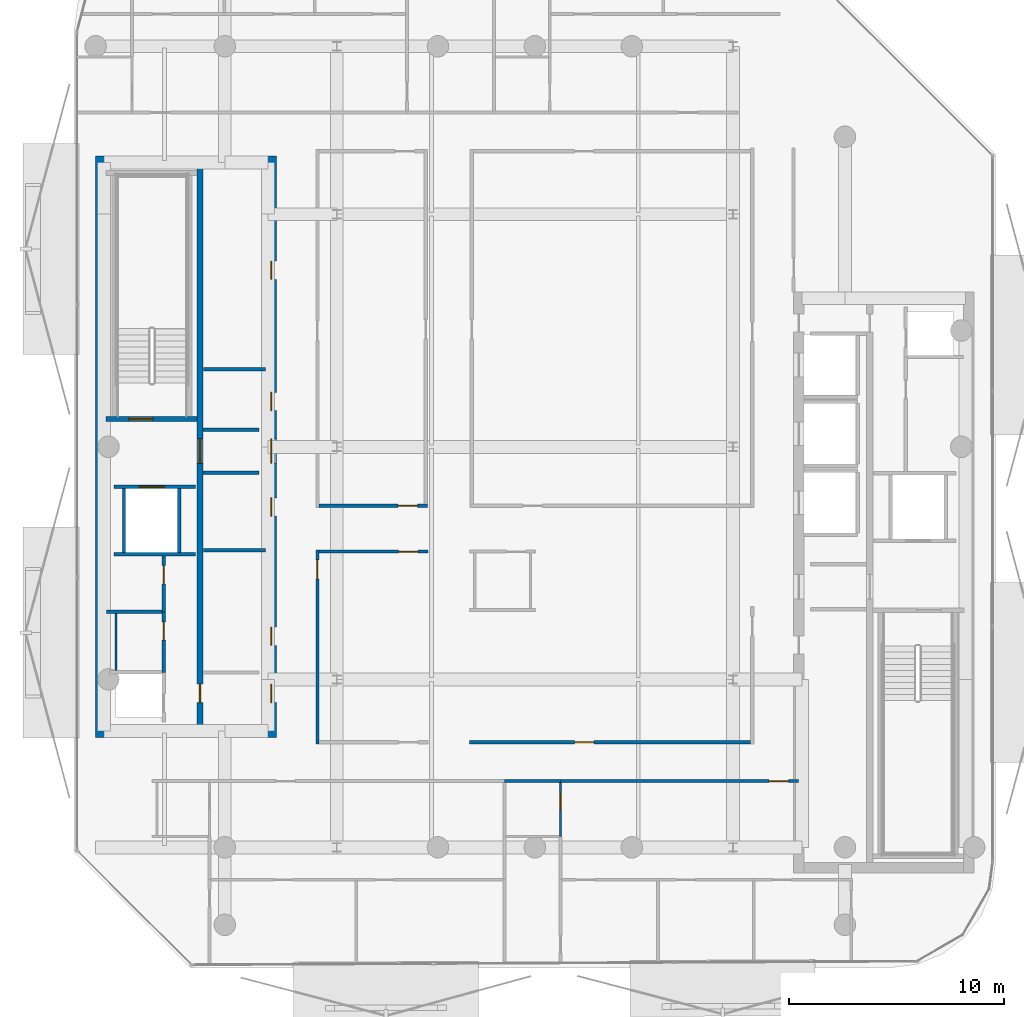
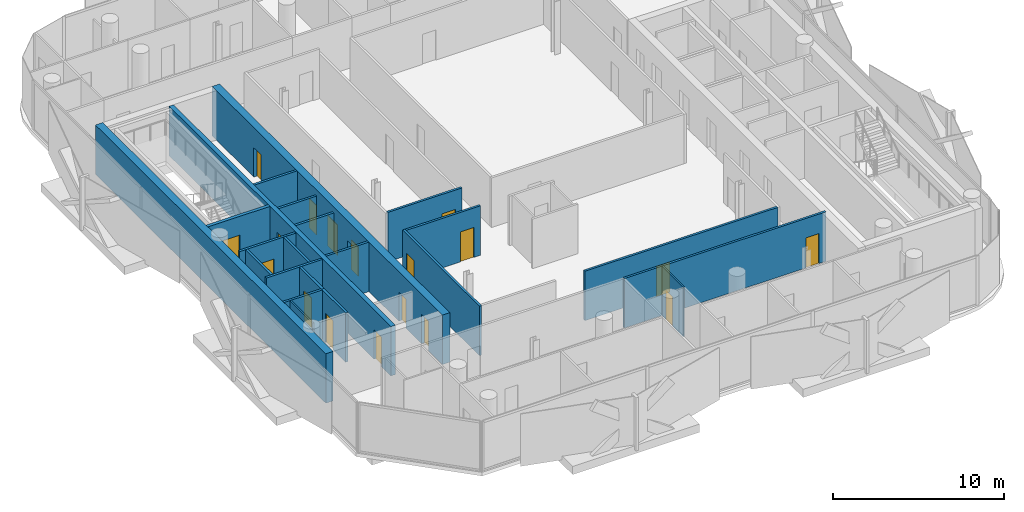
# One storey, part 5 of 16: 23 walls, 18 doors, 18 openings.
"""IFC4 building model written with IfcOpenShell, lengths in metres."""

from ifc_helpers import new_model, si_unit, direction, frame, frame_2d, origin, place, context, subcontext, project, spatial, rectangle, extrude, material, layer, layer_set, type_object, element, fill, save


model = new_model("IFC4")

# Units and contexts
model_context = context("Model", 3, precision=1e-05, world=origin(), true_north=direction((0.0, 1.0)))
body_context = subcontext(model_context, "Body", "Model", "MODEL_VIEW")
ifc_project = project(units=[si_unit("LENGTHUNIT", "METRE"), si_unit("AREAUNIT", "SQUARE_METRE"), si_unit("VOLUMEUNIT", "CUBIC_METRE"), si_unit("PLANEANGLEUNIT", "RADIAN"), si_unit("MASSUNIT", "GRAM", prefix="KILO")], contexts=[model_context])

# Site, building, storey
site_placement = place(None, origin())
site = spatial("IfcSite", under=ifc_project, at=site_placement, CompositionType="ELEMENT")
building_placement = place(site_placement, origin())
building = spatial("IfcBuilding", under=site, at=building_placement, Name="Khairoan Windgate Tower", CompositionType="ELEMENT")
storey_placement = place(building_placement, frame((0.0, 0.0, 281.39990234375)))
storey = spatial("IfcBuildingStorey", under=building, at=storey_placement, Name="L67", CompositionType="ELEMENT", Elevation=281.39990234375)

# Wall, opening, door
ifc_material_1 = material(Name="Moisture-Resistant Gypsum Partition", Category="gypsum")
ifc_layer_1 = layer(ifc_material_1, 0.10009765625, Name="Moisture-Resistant Gypsum Partition")
ifc_layer_set_1 = layer_set([ifc_layer_1], Name="Moisture-Resistant Gypsum Partition")
wall_type_1 = type_object("IfcWallType", Name="Bathroom Wet-Area Partition Wall", PredefinedType="PARTITIONING", material=ifc_layer_set_1)
wall_1_placement = place(storey_placement, frame((1.18994140625, -18.10009765625, 0.0), z_axis=(0.0, 0.0, 1.0), x_axis=(0.0, 1.0, 0.0)))
wall_1 = element("IfcWall", 1, at=wall_1_placement, inside=storey, type_object=wall_type_1, Name="L67 Interior Partition 066", PredefinedType="PARTITIONING", context=body_context, shape_type="SweptSolid", body=[
    extrude(rectangle(XDim=2.5, YDim=0.10009765625, at=frame_2d((1.25, 0.0))), origin(), (0.0, 0.0, 1.0), 3.5400390625),
])
opening_1_placement = place(wall_1_placement, frame((1.239990234375, 0.0, 0.0)))
opening_1 = element("IfcOpeningElement", 2, at=opening_1_placement, cuts=wall_1, Name="Opening ID-BTH", PredefinedType="OPENING", context=body_context, shape_type="SweptSolid", body=[
    extrude(rectangle(XDim=0.800048828125, YDim=2.10009765625, at=frame_2d((0.39990234375, 1.050048828125))), frame((0.0, 0.06005859375, 0.0), z_axis=(0.0, -1.0, 0.0), x_axis=(1.0, 0.0, 0.0)), (0.0, 0.0, 1.0), 0.1201171875),
])
ifc_material_2 = material(Name="Teak Veneer Timber Leaf", Category="wood")
door_type_1 = type_object("IfcDoorType", Name="Internal Bathroom Door ID-BTH 800x2100", OperationType="NOTDEFINED", PredefinedType="DOOR", material=ifc_material_2)
door_1_placement = place(opening_1_placement, origin())
door_1 = element("IfcDoor", 3, at=door_1_placement, inside=storey, type_object=door_type_1, Name="L67 L67-49-L67-51 Door", OperationType="SINGLE_SWING_RIGHT", OverallHeight=2.10009765625, OverallWidth=0.800048828125, PredefinedType="DOOR", context=body_context, shape_type="SweptSolid", body=[
    extrude(rectangle(XDim=0.800048828125, YDim=2.10009765625, at=frame_2d((0.39990234375, 1.050048828125))), frame((0.0, 0.02490234375, 0.0), z_axis=(0.0, -1.0, 0.0), x_axis=(1.0, 0.0, 0.0)), (0.0, 0.0, 1.0), 0.050048828125),
])
fill(opening_1, door_1)

# Wall
wall_2_placement = place(storey_placement, frame((-19.449951171875, -10.389892578125, 0.0), z_axis=(0.0, 0.0, 1.0), x_axis=(0.0, 1.0, 0.0)))
element("IfcWall", 4, at=wall_2_placement, inside=storey, type_object=wall_type_1, Name="L67 Wet Room Side Wall 076", PredefinedType="PARTITIONING", context=body_context, shape_type="SweptSolid", body=[
    extrude(rectangle(XDim=2.639892578125, YDim=0.10009765625, at=frame_2d((1.31982421875, 0.0))), origin(), (0.0, 0.0, 1.0), 3.5400390625),
])

# Wall, opening, door
ifc_material_3 = material(Name="Concrete C40/50", Category="concrete")
ifc_layer_2 = layer(ifc_material_3, 0.159912109375, Name="Concrete C40/50")
ifc_layer_set_2 = layer_set([ifc_layer_2], Name="Concrete C40/50")
wall_type_2 = type_object("IfcWallType", Name="Core and Hoistway Enclosure Wall", PredefinedType="STANDARD", material=ifc_layer_set_2)
wall_3_placement = place(storey_placement, frame((-19.550048828125, -1.860107421875, 0.0), z_axis=(0.0, 0.0, 1.0), x_axis=(1.0, 0.0, 0.0)))
wall_3 = element("IfcWall", 5, at=wall_3_placement, inside=storey, type_object=wall_type_2, Name="L67 Core Shaft Wall SW-FL2-L67", PredefinedType="STANDARD", context=body_context, shape_type="SweptSolid", body=[
    extrude(rectangle(XDim=3.800048828125, YDim=0.159912109375, at=frame_2d((1.89990234375, 0.0))), origin(), (0.0, 0.0, 1.0), 3.5400390625),
])
opening_2_placement = place(wall_3_placement, frame((1.179931640625, 0.0, 0.0)))
opening_2 = element("IfcOpeningElement", 6, at=opening_2_placement, cuts=wall_3, Name="Opening LD-FL", PredefinedType="OPENING", context=body_context, shape_type="SweptSolid", body=[
    extrude(rectangle(XDim=1.14990234375, YDim=2.199951171875, at=frame_2d((0.574951171875, 1.10009765625))), frame((0.0, 0.08984375, 0.0), z_axis=(0.0, -1.0, 0.0), x_axis=(1.0, 0.0, 0.0)), (0.0, 0.0, 1.0), 0.179931640625),
])
ifc_material_4 = material(Name="Steel S355", Category="steel")
door_type_2 = type_object("IfcDoorType", Name="Firefighting Lift Sliding Landing Door LD-FL 1150x2200", OperationType="DOUBLE_DOOR_SLIDING", PredefinedType="DOOR", material=ifc_material_4)
door_2_placement = place(opening_2_placement, origin())
door_2 = element("IfcDoor", 7, at=door_2_placement, inside=storey, type_object=door_type_2, Name="L67 Firefighting Lift FL2 Landing Door", OperationType="DOUBLE_DOOR_SLIDING", OverallHeight=2.199951171875, OverallWidth=1.14990234375, PredefinedType="DOOR", context=body_context, shape_type="SweptSolid", body=[
    extrude(rectangle(XDim=1.14990234375, YDim=2.199951171875, at=frame_2d((0.574951171875, 1.10009765625))), frame((0.0, 0.02490234375, 0.0), z_axis=(0.0, -1.0, 0.0), x_axis=(1.0, 0.0, 0.0)), (0.0, 0.0, 1.0), 0.050048828125),
])
fill(opening_2, door_2)

# Walls
wall_4_placement = place(storey_placement, frame((-19.550048828125, -4.97998046875, 0.0), z_axis=(0.0, 0.0, 1.0), x_axis=(1.0, 0.0, 0.0)))
element("IfcWall", 8, at=wall_4_placement, inside=storey, type_object=wall_type_2, Name="L67 Core Shaft Wall SW-FL2B-L67", PredefinedType="STANDARD", context=body_context, shape_type="SweptSolid", body=[
    extrude(rectangle(XDim=3.800048828125, YDim=0.159912109375, at=frame_2d((1.89990234375, 0.0))), origin(), (0.0, 0.0, 1.0), 3.5400390625),
])
for number, where, z_axis, x_axis, name in (
    (9, (-19.080078125, -4.89990234375, 0.0), (0.0, 0.0, 1.0), (0.0, 1.0, 0.0), "L67 Core Shaft Wall SW-FL2W-L67"),
    (10, (-16.52001953125, -4.89990234375, 0.0), (0.0, 0.0, 1.0), (0.0, 1.0, 0.0), "L67 Core Shaft Wall SW-FL2E-L67"),
):
    element("IfcWall", number, at=place(storey_placement, frame(where, z_axis=z_axis, x_axis=x_axis)), inside=storey, type_object=wall_type_2, Name=name, PredefinedType="STANDARD", context=body_context, shape_type="SweptSolid", body=[
        extrude(rectangle(XDim=2.9599609375, YDim=0.159912109375, at=frame_2d((1.47998046875, 0.0))), origin(), (0.0, 0.0, 1.0), 3.5400390625),
    ])
for number, where, z_axis, x_axis, name in (
    (11, (-15.39990234375, 0.800048828125, 0.0), (0.0, 0.0, 1.0), (1.0, 0.0, 0.0), "L67 Core Shaft Wall SW-WV1-L67"),
    (12, (-15.39990234375, -1.199951171875, 0.0), (0.0, 0.0, 1.0), (1.0, 0.0, 0.0), "L67 Core Shaft Wall SW-WV2-L67"),
):
    element("IfcWall", number, at=place(storey_placement, frame(where, z_axis=z_axis, x_axis=x_axis)), inside=storey, type_object=wall_type_2, Name=name, PredefinedType="STANDARD", context=body_context, shape_type="SweptSolid", body=[
        extrude(rectangle(XDim=2.599853515625, YDim=0.159912109375, at=frame_2d((1.2998046875, 0.0))), origin(), (0.0, 0.0, 1.0), 3.5400390625),
    ])

# Wall, opening, door
ifc_material_5 = material(Name="Concrete C40/50", Category="concrete")
ifc_layer_3 = layer(ifc_material_5, 0.159912109375, Name="Concrete C40/50")
ifc_layer_set_3 = layer_set([ifc_layer_3], Name="Concrete C40/50")
wall_type_3 = type_object("IfcWallType", Name="Plant and Refuge Compartment Wall", PredefinedType="PARTITIONING", material=ifc_layer_set_3)
wall_5_placement = place(storey_placement, frame((-17.22998046875, -10.469970703125, 0.0), z_axis=(0.0, 0.0, 1.0), x_axis=(0.0, 1.0, 0.0)))
wall_5 = element("IfcWall", 13, at=wall_5_placement, inside=storey, type_object=wall_type_3, Name="L67 Interior Partition 002", PredefinedType="PARTITIONING", context=body_context, shape_type="SweptSolid", body=[
    extrude(rectangle(XDim=2.800048828125, YDim=0.159912109375, at=frame_2d((1.39990234375, 0.0))), origin(), (0.0, 0.0, 1.0), 3.5400390625),
])
opening_3_placement = place(wall_5_placement, frame((1.489990234375, 0.0, 0.0)))
opening_3 = element("IfcOpeningElement", 14, at=opening_3_placement, cuts=wall_5, Name="Opening FD-SRV", PredefinedType="OPENING", context=body_context, shape_type="SweptSolid", body=[
    extrude(rectangle(XDim=0.85009765625, YDim=2.10009765625, at=frame_2d((0.425048828125, 1.050048828125))), frame((0.0, 0.08984375, 0.0), z_axis=(0.0, -1.0, 0.0), x_axis=(1.0, 0.0, 0.0)), (0.0, 0.0, 1.0), 0.179931640625),
])
ifc_material_6 = material(Name="Steel S355", Category="steel")
door_type_3 = type_object("IfcDoorType", Name="Core Service and Riser Fire Door FD-SRV 850x2100", OperationType="NOTDEFINED", PredefinedType="DOOR", material=ifc_material_6)
door_3_placement = place(opening_3_placement, origin())
door_3 = element("IfcDoor", 15, at=door_3_placement, inside=storey, type_object=door_type_3, Name="L67 L67-04-L67-06 Door", OperationType="SINGLE_SWING_LEFT", OverallHeight=2.10009765625, OverallWidth=0.85009765625, PredefinedType="DOOR", context=body_context, shape_type="SweptSolid", body=[
    extrude(rectangle(XDim=0.85009765625, YDim=2.10009765625, at=frame_2d((0.425048828125, 1.050048828125))), frame((0.0, 0.02490234375, 0.0), z_axis=(0.0, -1.0, 0.0), x_axis=(1.0, 0.0, 0.0)), (0.0, 0.0, 1.0), 0.050048828125),
])
fill(opening_3, door_3)

wall_6_placement = place(storey_placement, frame((-17.22998046875, -7.669921875, 0.0), z_axis=(0.0, 0.0, 1.0), x_axis=(0.0, 1.0, 0.0)))
wall_6 = element("IfcWall", 16, at=wall_6_placement, inside=storey, type_object=wall_type_3, Name="L67 Interior Partition 003", PredefinedType="PARTITIONING", context=body_context, shape_type="SweptSolid", body=[
    extrude(rectangle(XDim=2.60986328125, YDim=0.159912109375, at=frame_2d((1.304931640625, 0.0))), origin(), (0.0, 0.0, 1.0), 3.5400390625),
])
opening_4_placement = place(wall_6_placement, frame((1.300048828125, 0.0, 0.0)))
opening_4 = element("IfcOpeningElement", 17, at=opening_4_placement, cuts=wall_6, Name="Opening FD-SRV", PredefinedType="OPENING", context=body_context, shape_type="SweptSolid", body=[
    extrude(rectangle(XDim=0.85009765625, YDim=2.10009765625, at=frame_2d((0.425048828125, 1.050048828125))), frame((0.0, 0.08984375, 0.0), z_axis=(0.0, -1.0, 0.0), x_axis=(1.0, 0.0, 0.0)), (0.0, 0.0, 1.0), 0.179931640625),
])
door_4_placement = place(opening_4_placement, origin())
door_4 = element("IfcDoor", 18, at=door_4_placement, inside=storey, type_object=door_type_3, Name="L67 L67-04-L67-07 Door", OperationType="SINGLE_SWING_RIGHT", OverallHeight=2.10009765625, OverallWidth=0.85009765625, PredefinedType="DOOR", context=body_context, shape_type="SweptSolid", body=[
    extrude(rectangle(XDim=0.85009765625, YDim=2.10009765625, at=frame_2d((0.425048828125, 1.050048828125))), frame((0.0, 0.02490234375, 0.0), z_axis=(0.0, -1.0, 0.0), x_axis=(1.0, 0.0, 0.0)), (0.0, 0.0, 1.0), 0.050048828125),
])
fill(opening_4, door_4)

# Walls
wall_7_placement = place(storey_placement, frame((-19.89990234375, -7.669921875, 0.0), z_axis=(0.0, 0.0, 1.0), x_axis=(1.0, 0.0, 0.0)))
element("IfcWall", 19, at=wall_7_placement, inside=storey, type_object=wall_type_3, Name="L67 Interior Partition 005", PredefinedType="PARTITIONING", context=body_context, shape_type="SweptSolid", body=[
    extrude(rectangle(XDim=2.58984375, YDim=0.159912109375, at=frame_2d((1.294921875, 0.0))), origin(), (0.0, 0.0, 1.0), 3.5400390625),
])
for number, where, z_axis, x_axis, name in (
    (20, (-15.39990234375, 3.60009765625, 0.0), (0.0, 0.0, 1.0), (1.0, 0.0, 0.0), "L67 Interior Partition 006"),
    (21, (-15.39990234375, -4.800048828125, 0.0), (0.0, 0.0, 1.0), (1.0, 0.0, 0.0), "L67 Interior Partition 007"),
):
    element("IfcWall", number, at=place(storey_placement, frame(where, z_axis=z_axis, x_axis=x_axis)), inside=storey, type_object=wall_type_3, Name=name, PredefinedType="PARTITIONING", context=body_context, shape_type="SweptSolid", body=[
        extrude(rectangle(XDim=2.89990234375, YDim=0.159912109375, at=frame_2d((1.449951171875, 0.0))), origin(), (0.0, 0.0, 1.0), 3.5400390625),
    ])

# Wall, opening, door
ifc_material_7 = material(Name="Acoustic Fire-Rated Gypsum Partition", Category="gypsum")
ifc_layer_4 = layer(ifc_material_7, 0.14990234375, Name="Acoustic Fire-Rated Gypsum Partition")
ifc_layer_set_4 = layer_set([ifc_layer_4], Name="Acoustic Fire-Rated Gypsum Partition")
wall_type_4 = type_object("IfcWallType", Name="Rated Corridor Partition Wall", PredefinedType="PARTITIONING", material=ifc_layer_set_4)
wall_8_placement = place(storey_placement, frame((-10.10009765625, -13.794921875, 0.0), z_axis=(0.0, 0.0, 1.0), x_axis=(0.0, 1.0, 0.0)))
wall_8 = element("IfcWall", 22, at=wall_8_placement, inside=storey, type_object=wall_type_4, Name="L67 Interior Partition 012", PredefinedType="PARTITIONING", context=body_context, shape_type="SweptSolid", body=[
    extrude(rectangle(XDim=9.0048828125, YDim=0.14990234375, at=frame_2d((4.50244140625, 0.0))), origin(), (0.0, 0.0, 1.0), 3.5400390625),
])
opening_5_placement = place(wall_8_placement, frame((7.64501953125, 0.0, 0.0)))
opening_5 = element("IfcOpeningElement", 23, at=opening_5_placement, cuts=wall_8, Name="Opening FD-ENT", PredefinedType="OPENING", context=body_context, shape_type="SweptSolid", body=[
    extrude(rectangle(XDim=0.89990234375, YDim=2.14990234375, at=frame_2d((0.449951171875, 1.074951171875))), frame((0.0, 0.0849609375, 0.0), z_axis=(0.0, -1.0, 0.0), x_axis=(1.0, 0.0, 0.0)), (0.0, 0.0, 1.0), 0.169921875),
])
ifc_material_8 = material(Name="Timber Fire-Rated Core", Category="wood")
door_type_4 = type_object("IfcDoorType", Name="Unit and Office Fire Entrance Door FD-ENT 900x2150", OperationType="NOTDEFINED", PredefinedType="DOOR", material=ifc_material_8)
door_5_placement = place(opening_5_placement, origin())
door_5 = element("IfcDoor", 24, at=door_5_placement, inside=storey, type_object=door_type_4, Name="L67 L67-26-L67-58 Door", OperationType="SINGLE_SWING_RIGHT", OverallHeight=2.14990234375, OverallWidth=0.89990234375, PredefinedType="DOOR", context=body_context, shape_type="SweptSolid", body=[
    extrude(rectangle(XDim=0.89990234375, YDim=2.14990234375, at=frame_2d((0.449951171875, 1.074951171875))), frame((0.0, 0.02490234375, 0.0), z_axis=(0.0, -1.0, 0.0), x_axis=(1.0, 0.0, 0.0)), (0.0, 0.0, 1.0), 0.050048828125),
])
fill(opening_5, door_5)

wall_9_placement = place(storey_placement, frame((-10.02490234375, -2.735107421875, 0.0), z_axis=(0.0, 0.0, 1.0), x_axis=(1.0, 0.0, 0.0)))
wall_9 = element("IfcWall", 25, at=wall_9_placement, inside=storey, type_object=wall_type_4, Name="L67 Interior Partition 016", PredefinedType="PARTITIONING", context=body_context, shape_type="SweptSolid", body=[
    extrude(rectangle(XDim=5.034912109375, YDim=0.14990234375, at=frame_2d((2.517578125, 0.0))), origin(), (0.0, 0.0, 1.0), 3.5400390625),
])
opening_6_placement = place(wall_9_placement, frame((3.675048828125, 0.0, 0.0)))
opening_6 = element("IfcOpeningElement", 26, at=opening_6_placement, cuts=wall_9, Name="Opening FD-ENT", PredefinedType="OPENING", context=body_context, shape_type="SweptSolid", body=[
    extrude(rectangle(XDim=0.89990234375, YDim=2.14990234375, at=frame_2d((0.449951171875, 1.074951171875))), frame((0.0, 0.0849609375, 0.0), z_axis=(0.0, -1.0, 0.0), x_axis=(1.0, 0.0, 0.0)), (0.0, 0.0, 1.0), 0.169921875),
])
door_6_placement = place(opening_6_placement, origin())
door_6 = element("IfcDoor", 27, at=door_6_placement, inside=storey, type_object=door_type_4, Name="L67 L67-28-L67-57 Door", OperationType="SINGLE_SWING_RIGHT", OverallHeight=2.14990234375, OverallWidth=0.89990234375, PredefinedType="DOOR", context=body_context, shape_type="SweptSolid", body=[
    extrude(rectangle(XDim=0.89990234375, YDim=2.14990234375, at=frame_2d((0.449951171875, 1.074951171875))), frame((0.0, 0.02490234375, 0.0), z_axis=(0.0, -1.0, 0.0), x_axis=(1.0, 0.0, 0.0)), (0.0, 0.0, 1.0), 0.050048828125),
])
fill(opening_6, door_6)

wall_10_placement = place(storey_placement, frame((-10.02490234375, -4.864990234375, 0.0), z_axis=(0.0, 0.0, 1.0), x_axis=(1.0, 0.0, 0.0)))
wall_10 = element("IfcWall", 28, at=wall_10_placement, inside=storey, type_object=wall_type_4, Name="L67 Interior Partition 017", PredefinedType="PARTITIONING", context=body_context, shape_type="SweptSolid", body=[
    extrude(rectangle(XDim=5.054931640625, YDim=0.14990234375, at=frame_2d((2.52734375, 0.0))), origin(), (0.0, 0.0, 1.0), 3.5400390625),
])
opening_7_placement = place(wall_10_placement, frame((3.695068359375, 0.0, 0.0)))
opening_7 = element("IfcOpeningElement", 29, at=opening_7_placement, cuts=wall_10, Name="Opening FD-ENT", PredefinedType="OPENING", context=body_context, shape_type="SweptSolid", body=[
    extrude(rectangle(XDim=0.89990234375, YDim=2.14990234375, at=frame_2d((0.449951171875, 1.074951171875))), frame((0.0, 0.0849609375, 0.0), z_axis=(0.0, -1.0, 0.0), x_axis=(1.0, 0.0, 0.0)), (0.0, 0.0, 1.0), 0.169921875),
])
door_7_placement = place(opening_7_placement, origin())
door_7 = element("IfcDoor", 30, at=door_7_placement, inside=storey, type_object=door_type_4, Name="L67 L67-28-L67-58 Door", OperationType="SINGLE_SWING_LEFT", OverallHeight=2.14990234375, OverallWidth=0.89990234375, PredefinedType="DOOR", context=body_context, shape_type="SweptSolid", body=[
    extrude(rectangle(XDim=0.89990234375, YDim=2.14990234375, at=frame_2d((0.449951171875, 1.074951171875))), frame((0.0, 0.02490234375, 0.0), z_axis=(0.0, -1.0, 0.0), x_axis=(1.0, 0.0, 0.0)), (0.0, 0.0, 1.0), 0.050048828125),
])
fill(opening_7, door_7)

# Wall
wall_11_placement = place(storey_placement, frame((-1.39990234375, -15.52490234375, 0.0), z_axis=(0.0, 0.0, 1.0), x_axis=(1.0, 0.0, 0.0)))
element("IfcWall", 31, at=wall_11_placement, inside=storey, type_object=wall_type_4, Name="L67 Interior Partition 031", PredefinedType="PARTITIONING", context=body_context, shape_type="SweptSolid", body=[
    extrude(rectangle(XDim=2.58984375, YDim=0.14990234375, at=frame_2d((1.294921875, 0.0))), origin(), (0.0, 0.0, 1.0), 3.5400390625),
])

# Wall, opening, door
wall_12_placement = place(storey_placement, frame((1.18994140625, -15.52490234375, 0.0), z_axis=(0.0, 0.0, 1.0), x_axis=(1.0, 0.0, 0.0)))
wall_12 = element("IfcWall", 32, at=wall_12_placement, inside=storey, type_object=wall_type_4, Name="L67 Interior Partition 032", PredefinedType="PARTITIONING", context=body_context, shape_type="SweptSolid", body=[
    extrude(rectangle(XDim=11.050048828125, YDim=0.14990234375, at=frame_2d((5.52490234375, 0.0))), origin(), (0.0, 0.0, 1.0), 3.5400390625),
])
opening_8_placement = place(wall_12_placement, frame((9.68994140625, 0.0, 0.0)))
opening_8 = element("IfcOpeningElement", 33, at=opening_8_placement, cuts=wall_12, Name="Opening FD-ENT", PredefinedType="OPENING", context=body_context, shape_type="SweptSolid", body=[
    extrude(rectangle(XDim=0.89990234375, YDim=2.14990234375, at=frame_2d((0.449951171875, 1.074951171875))), frame((0.0, 0.0849609375, 0.0), z_axis=(0.0, -1.0, 0.0), x_axis=(1.0, 0.0, 0.0)), (0.0, 0.0, 1.0), 0.169921875),
])
door_8_placement = place(opening_8_placement, origin())
door_8 = element("IfcDoor", 34, at=door_8_placement, inside=storey, type_object=door_type_4, Name="L67 L67-31-L67-51 Door", OperationType="SINGLE_SWING_LEFT", OverallHeight=2.14990234375, OverallWidth=0.89990234375, PredefinedType="DOOR", context=body_context, shape_type="SweptSolid", body=[
    extrude(rectangle(XDim=0.89990234375, YDim=2.14990234375, at=frame_2d((0.449951171875, 1.074951171875))), frame((0.0, 0.02490234375, 0.0), z_axis=(0.0, -1.0, 0.0), x_axis=(1.0, 0.0, 0.0)), (0.0, 0.0, 1.0), 0.050048828125),
])
fill(opening_8, door_8)

wall_13_placement = place(storey_placement, frame((-3.030029296875, -13.719970703125, 0.0), z_axis=(0.0, 0.0, 1.0), x_axis=(1.0, 0.0, 0.0)))
wall_13 = element("IfcWall", 35, at=wall_13_placement, inside=storey, type_object=wall_type_4, Name="L67 Interior Partition 034", PredefinedType="PARTITIONING", context=body_context, shape_type="SweptSolid", body=[
    extrude(rectangle(XDim=13.054931640625, YDim=0.14990234375, at=frame_2d((6.52734375, 0.0))), origin(), (0.0, 0.0, 1.0), 3.5400390625),
])
opening_9_placement = place(wall_13_placement, frame((4.873779296875, 0.0, 0.0)))
opening_9 = element("IfcOpeningElement", 36, at=opening_9_placement, cuts=wall_13, Name="Opening FD-ENT", PredefinedType="OPENING", context=body_context, shape_type="SweptSolid", body=[
    extrude(rectangle(XDim=0.89990234375, YDim=2.14990234375, at=frame_2d((0.449951171875, 1.074951171875))), frame((0.0, 0.0849609375, 0.0), z_axis=(0.0, -1.0, 0.0), x_axis=(1.0, 0.0, 0.0)), (0.0, 0.0, 1.0), 0.169921875),
])
door_9_placement = place(opening_9_placement, origin())
door_9 = element("IfcDoor", 37, at=door_9_placement, inside=storey, type_object=door_type_4, Name="L67 L67-31-L67-61 Door", OperationType="SINGLE_SWING_LEFT", OverallHeight=2.14990234375, OverallWidth=0.89990234375, PredefinedType="DOOR", context=body_context, shape_type="SweptSolid", body=[
    extrude(rectangle(XDim=0.89990234375, YDim=2.14990234375, at=frame_2d((0.449951171875, 1.074951171875))), frame((0.0, 0.02490234375, 0.0), z_axis=(0.0, -1.0, 0.0), x_axis=(1.0, 0.0, 0.0)), (0.0, 0.0, 1.0), 0.050048828125),
])
fill(opening_9, door_9)

# Wall
ifc_material_9 = material(Name="Concrete C50/60", Category="concrete")
ifc_layer_5 = layer(ifc_material_9, 0.5, Name="Concrete C50/60")
ifc_layer_set_5 = layer_set([ifc_layer_5], Name="Concrete C50/60")
wall_type_5 = type_object("IfcWallType", Name="Shear Wall CW-W3 500mm", PredefinedType="SHEAR", material=ifc_layer_set_5)
wall_14_placement = place(storey_placement, frame((-20.14990234375, -13.5, 0.0), z_axis=(0.0, 0.0, 1.0), x_axis=(0.0, 1.0, 0.0)))
element("IfcWall", 38, at=wall_14_placement, inside=storey, type_object=wall_type_5, Name="W Core West Shear Wall L67", PredefinedType="SHEAR", context=body_context, shape_type="SweptSolid", body=[
    extrude(rectangle(XDim=27.0, YDim=0.5, at=frame_2d((13.5, 0.0))), origin(), (0.0, 0.0, 1.0), 3.5400390625),
])

# Wall, openings, doors
wall_15_placement = place(storey_placement, frame((-12.25, -13.5, 0.0), z_axis=(0.0, 0.0, 1.0), x_axis=(0.0, 1.0, 0.0)))
wall_15 = element("IfcWall", 39, at=wall_15_placement, inside=storey, type_object=wall_type_5, Name="W Core East Shear Wall L67", PredefinedType="SHEAR", context=body_context, shape_type="SweptSolid", body=[
    extrude(rectangle(XDim=27.0, YDim=0.5, at=frame_2d((13.5, 0.0))), origin(), (0.0, 0.0, 1.0), 3.5400390625),
])
opening_10_placement = place(wall_15_placement, frame((15.175048828125, 0.0, 0.0)))
opening_10 = element("IfcOpeningElement", 40, at=opening_10_placement, cuts=wall_15, Name="Opening FD-SRV", PredefinedType="OPENING", context=body_context, shape_type="SweptSolid", body=[
    extrude(rectangle(XDim=0.85009765625, YDim=2.10009765625, at=frame_2d((0.425048828125, 1.050048828125))), frame((0.0, 0.260009765625, 0.0), z_axis=(0.0, -1.0, 0.0), x_axis=(1.0, 0.0, 0.0)), (0.0, 0.0, 1.0), 0.52001953125),
])
opening_11_placement = place(wall_15_placement, frame((21.27490234375, 0.0, 0.0)))
opening_11 = element("IfcOpeningElement", 41, at=opening_11_placement, cuts=wall_15, Name="Opening FD-SRV", PredefinedType="OPENING", context=body_context, shape_type="SweptSolid", body=[
    extrude(rectangle(XDim=0.85009765625, YDim=2.10009765625, at=frame_2d((0.425048828125, 1.050048828125))), frame((0.0, 0.260009765625, 0.0), z_axis=(0.0, -1.0, 0.0), x_axis=(1.0, 0.0, 0.0)), (0.0, 0.0, 1.0), 0.52001953125),
])
opening_12_placement = place(wall_15_placement, frame((4.27490234375, 0.0, 0.0)))
opening_12 = element("IfcOpeningElement", 42, at=opening_12_placement, cuts=wall_15, Name="Opening FD-SRV", PredefinedType="OPENING", context=body_context, shape_type="SweptSolid", body=[
    extrude(rectangle(XDim=0.85009765625, YDim=2.10009765625, at=frame_2d((0.425048828125, 1.050048828125))), frame((0.0, 0.260009765625, 0.0), z_axis=(0.0, -1.0, 0.0), x_axis=(1.0, 0.0, 0.0)), (0.0, 0.0, 1.0), 0.52001953125),
])
opening_13_placement = place(wall_15_placement, frame((10.27490234375, 0.0, 0.0)))
opening_13 = element("IfcOpeningElement", 43, at=opening_13_placement, cuts=wall_15, Name="Opening FD-SRV", PredefinedType="OPENING", context=body_context, shape_type="SweptSolid", body=[
    extrude(rectangle(XDim=0.85009765625, YDim=2.10009765625, at=frame_2d((0.425048828125, 1.050048828125))), frame((0.0, 0.260009765625, 0.0), z_axis=(0.0, -1.0, 0.0), x_axis=(1.0, 0.0, 0.0)), (0.0, 0.0, 1.0), 0.52001953125),
])
opening_14_placement = place(wall_15_placement, frame((12.72509765625, 0.0, 0.0)))
opening_14 = element("IfcOpeningElement", 44, at=opening_14_placement, cuts=wall_15, Name="Opening FD-FFL", PredefinedType="OPENING", context=body_context, shape_type="SweptSolid", body=[
    extrude(rectangle(XDim=1.14990234375, YDim=2.199951171875, at=frame_2d((0.574951171875, 1.10009765625))), frame((0.0, 0.260009765625, 0.0), z_axis=(0.0, -1.0, 0.0), x_axis=(1.0, 0.0, 0.0)), (0.0, 0.0, 1.0), 0.52001953125),
])
opening_15_placement = place(wall_15_placement, frame((1.625, 0.0, 0.0)))
opening_15 = element("IfcOpeningElement", 45, at=opening_15_placement, cuts=wall_15, Name="Opening FD-SRV", PredefinedType="OPENING", context=body_context, shape_type="SweptSolid", body=[
    extrude(rectangle(XDim=0.85009765625, YDim=2.10009765625, at=frame_2d((0.425048828125, 1.050048828125))), frame((0.0, 0.260009765625, 0.0), z_axis=(0.0, -1.0, 0.0), x_axis=(1.0, 0.0, 0.0)), (0.0, 0.0, 1.0), 0.52001953125),
])
door_10_placement = place(opening_10_placement, origin())
door_10 = element("IfcDoor", 46, at=door_10_placement, inside=storey, type_object=door_type_3, Name="L67 Upper Core Room Door B1-1", OperationType="SINGLE_SWING_LEFT", OverallHeight=2.10009765625, OverallWidth=0.85009765625, PredefinedType="DOOR", context=body_context, shape_type="SweptSolid", body=[
    extrude(rectangle(XDim=0.85009765625, YDim=2.10009765625, at=frame_2d((0.425048828125, 1.050048828125))), frame((0.0, 0.02490234375, 0.0), z_axis=(0.0, -1.0, 0.0), x_axis=(1.0, 0.0, 0.0)), (0.0, 0.0, 1.0), 0.050048828125),
])
fill(opening_10, door_10)
door_11_placement = place(opening_11_placement, origin())
door_11 = element("IfcDoor", 47, at=door_11_placement, inside=storey, type_object=door_type_3, Name="L67 Upper Core Room Door B1-2", OperationType="SINGLE_SWING_RIGHT", OverallHeight=2.10009765625, OverallWidth=0.85009765625, PredefinedType="DOOR", context=body_context, shape_type="SweptSolid", body=[
    extrude(rectangle(XDim=0.85009765625, YDim=2.10009765625, at=frame_2d((0.425048828125, 1.050048828125))), frame((0.0, 0.02490234375, 0.0), z_axis=(0.0, -1.0, 0.0), x_axis=(1.0, 0.0, 0.0)), (0.0, 0.0, 1.0), 0.050048828125),
])
fill(opening_11, door_11)
door_12_placement = place(opening_12_placement, origin())
door_12 = element("IfcDoor", 48, at=door_12_placement, inside=storey, type_object=door_type_3, Name="L67 Upper Core Room Door B2-1", OperationType="SINGLE_SWING_LEFT", OverallHeight=2.10009765625, OverallWidth=0.85009765625, PredefinedType="DOOR", context=body_context, shape_type="SweptSolid", body=[
    extrude(rectangle(XDim=0.85009765625, YDim=2.10009765625, at=frame_2d((0.425048828125, 1.050048828125))), frame((0.0, 0.02490234375, 0.0), z_axis=(0.0, -1.0, 0.0), x_axis=(1.0, 0.0, 0.0)), (0.0, 0.0, 1.0), 0.050048828125),
])
fill(opening_12, door_12)
door_13_placement = place(opening_13_placement, origin())
door_13 = element("IfcDoor", 49, at=door_13_placement, inside=storey, type_object=door_type_3, Name="L67 Upper Core Room Door B2-2", OperationType="SINGLE_SWING_RIGHT", OverallHeight=2.10009765625, OverallWidth=0.85009765625, PredefinedType="DOOR", context=body_context, shape_type="SweptSolid", body=[
    extrude(rectangle(XDim=0.85009765625, YDim=2.10009765625, at=frame_2d((0.425048828125, 1.050048828125))), frame((0.0, 0.02490234375, 0.0), z_axis=(0.0, -1.0, 0.0), x_axis=(1.0, 0.0, 0.0)), (0.0, 0.0, 1.0), 0.050048828125),
])
fill(opening_13, door_13)
door_14_placement = place(opening_15_placement, origin())
door_14 = element("IfcDoor", 50, at=door_14_placement, inside=storey, type_object=door_type_3, Name="L67 West Core Service Vestibule Outer Door", OperationType="SINGLE_SWING_RIGHT", OverallHeight=2.10009765625, OverallWidth=0.85009765625, PredefinedType="DOOR", context=body_context, shape_type="SweptSolid", body=[
    extrude(rectangle(XDim=0.85009765625, YDim=2.10009765625, at=frame_2d((0.425048828125, 1.050048828125))), frame((0.0, 0.02490234375, 0.0), z_axis=(0.0, -1.0, 0.0), x_axis=(1.0, 0.0, 0.0)), (0.0, 0.0, 1.0), 0.050048828125),
])
fill(opening_15, door_14)
ifc_material_10 = material(Name="Steel S355", Category="steel")
door_type_5 = type_object("IfcDoorType", Name="Firefighting Lobby Fire Door FD-FFL 1150x2200", OperationType="NOTDEFINED", PredefinedType="DOOR", material=ifc_material_10)
door_15_placement = place(opening_14_placement, origin())
door_15 = element("IfcDoor", 51, at=door_15_placement, inside=storey, type_object=door_type_5, Name="L67 West Core Vestibule Entry Door", OperationType="SINGLE_SWING_RIGHT", OverallHeight=2.199951171875, OverallWidth=1.14990234375, PredefinedType="DOOR", context=body_context, shape_type="SweptSolid", body=[
    extrude(rectangle(XDim=1.14990234375, YDim=2.199951171875, at=frame_2d((0.574951171875, 1.10009765625))), frame((0.0, 0.02490234375, 0.0), z_axis=(0.0, -1.0, 0.0), x_axis=(1.0, 0.0, 0.0)), (0.0, 0.0, 1.0), 0.050048828125),
])
fill(opening_14, door_15)

ifc_material_11 = material(Name="Concrete C50/60", Category="concrete")
ifc_layer_6 = layer(ifc_material_11, 0.300048828125, Name="Concrete C50/60")
ifc_layer_set_6 = layer_set([ifc_layer_6], Name="Concrete C50/60")
wall_type_6 = type_object("IfcWallType", Name="Shear Wall SW-2 300mm", PredefinedType="SHEAR", material=ifc_layer_set_6)
wall_16_placement = place(storey_placement, frame((-15.550048828125, -13.0, 0.0), z_axis=(0.0, 0.0, 1.0), x_axis=(0.0, 1.0, 0.0)))
wall_16 = element("IfcWall", 52, at=wall_16_placement, inside=storey, type_object=wall_type_6, Name="W Core Spine Shear Wall L67", PredefinedType="SHEAR", context=body_context, shape_type="SweptSolid", body=[
    extrude(rectangle(XDim=26.0, YDim=0.300048828125, at=frame_2d((13.0, 0.0))), origin(), (0.0, 0.0, 1.0), 3.5400390625),
])
opening_16_placement = place(wall_16_placement, frame((12.22509765625, 0.0, 0.0)))
opening_16 = element("IfcOpeningElement", 53, at=opening_16_placement, cuts=wall_16, Name="Opening FD-FFL", PredefinedType="OPENING", context=body_context, shape_type="SweptSolid", body=[
    extrude(rectangle(XDim=1.14990234375, YDim=2.199951171875, at=frame_2d((0.574951171875, 1.10009765625))), frame((0.0, 0.159912109375, 0.0), z_axis=(0.0, -1.0, 0.0), x_axis=(1.0, 0.0, 0.0)), (0.0, 0.0, 1.0), 0.320068359375),
])
opening_17_placement = place(wall_16_placement, frame((1.125, 0.0, 0.0)))
opening_17 = element("IfcOpeningElement", 54, at=opening_17_placement, cuts=wall_16, Name="Opening FD-SRV", PredefinedType="OPENING", context=body_context, shape_type="SweptSolid", body=[
    extrude(rectangle(XDim=0.85009765625, YDim=2.10009765625, at=frame_2d((0.425048828125, 1.050048828125))), frame((0.0, 0.159912109375, 0.0), z_axis=(0.0, -1.0, 0.0), x_axis=(1.0, 0.0, 0.0)), (0.0, 0.0, 1.0), 0.320068359375),
])
door_16_placement = place(opening_17_placement, origin())
door_16 = element("IfcDoor", 55, at=door_16_placement, inside=storey, type_object=door_type_3, Name="L67 West Core Service Passage Inner Door", OperationType="SINGLE_SWING_LEFT", OverallHeight=2.10009765625, OverallWidth=0.85009765625, PredefinedType="DOOR", context=body_context, shape_type="SweptSolid", body=[
    extrude(rectangle(XDim=0.85009765625, YDim=2.10009765625, at=frame_2d((0.425048828125, 1.050048828125))), frame((0.0, 0.02490234375, 0.0), z_axis=(0.0, -1.0, 0.0), x_axis=(1.0, 0.0, 0.0)), (0.0, 0.0, 1.0), 0.050048828125),
])
fill(opening_17, door_16)
door_17_placement = place(opening_16_placement, origin())
door_17 = element("IfcDoor", 56, at=door_17_placement, inside=storey, type_object=door_type_5, Name="L67 West Firefighting Lobby Fire Door", OperationType="SINGLE_SWING_LEFT", OverallHeight=2.199951171875, OverallWidth=1.14990234375, PredefinedType="DOOR", context=body_context, shape_type="SweptSolid", body=[
    extrude(rectangle(XDim=1.14990234375, YDim=2.199951171875, at=frame_2d((0.574951171875, 1.10009765625))), frame((0.0, 0.02490234375, 0.0), z_axis=(0.0, -1.0, 0.0), x_axis=(1.0, 0.0, 0.0)), (0.0, 0.0, 1.0), 0.050048828125),
])
fill(opening_16, door_17)

# Wall, opening, door
ifc_material_12 = material(Name="Concrete C50/60", Category="concrete")
ifc_layer_7 = layer(ifc_material_12, 0.219970703125, Name="Concrete C50/60")
ifc_layer_set_7 = layer_set([ifc_layer_7], Name="Concrete C50/60")
wall_type_7 = type_object("IfcWallType", Name="Shear Wall SW-ST 220mm", PredefinedType="SHEAR", material=ifc_layer_set_7)
wall_17_placement = place(storey_placement, frame((-19.919921875, 1.2900390625, 0.0), z_axis=(0.0, 0.0, 1.0), x_axis=(1.0, 0.0, 0.0)))
wall_17 = element("IfcWall", 57, at=wall_17_placement, inside=storey, type_object=wall_type_7, Name="L67 Stair ST2 South Bearing Wall", PredefinedType="SHEAR", context=body_context, shape_type="SweptSolid", body=[
    extrude(rectangle(XDim=4.239990234375, YDim=0.219970703125, at=frame_2d((2.1201171875, 0.0))), origin(), (0.0, 0.0, 1.0), 3.5400390625),
])
opening_18_placement = place(wall_17_placement, frame((1.080078125, 0.0, 0.0)))
opening_18 = element("IfcOpeningElement", 58, at=opening_18_placement, cuts=wall_17, Name="Opening FD-ST", PredefinedType="OPENING", context=body_context, shape_type="SweptSolid", body=[
    extrude(rectangle(XDim=1.10009765625, YDim=2.199951171875, at=frame_2d((0.550048828125, 1.10009765625))), frame((0.0, 0.119873046875, 0.0), z_axis=(0.0, -1.0, 0.0), x_axis=(1.0, 0.0, 0.0)), (0.0, 0.0, 1.0), 0.239990234375),
])
ifc_material_13 = material(Name="Steel S355", Category="steel")
door_type_6 = type_object("IfcDoorType", Name="Smokeproof Stair Fire Door FD-ST 1100x2200", OperationType="NOTDEFINED", PredefinedType="DOOR", material=ifc_material_13)
door_18_placement = place(opening_18_placement, origin())
door_18 = element("IfcDoor", 59, at=door_18_placement, inside=storey, type_object=door_type_6, Name="L67 Stair ST2 Fire Door", OperationType="SINGLE_SWING_RIGHT", OverallHeight=2.199951171875, OverallWidth=1.10009765625, PredefinedType="DOOR", context=body_context, shape_type="SweptSolid", body=[
    extrude(rectangle(XDim=1.10009765625, YDim=2.199951171875, at=frame_2d((0.550048828125, 1.10009765625))), frame((0.0, 0.02490234375, 0.0), z_axis=(0.0, -1.0, 0.0), x_axis=(1.0, 0.0, 0.0)), (0.0, 0.0, 1.0), 0.050048828125),
])
fill(opening_18, door_18)

save(model, "model.ifc")
